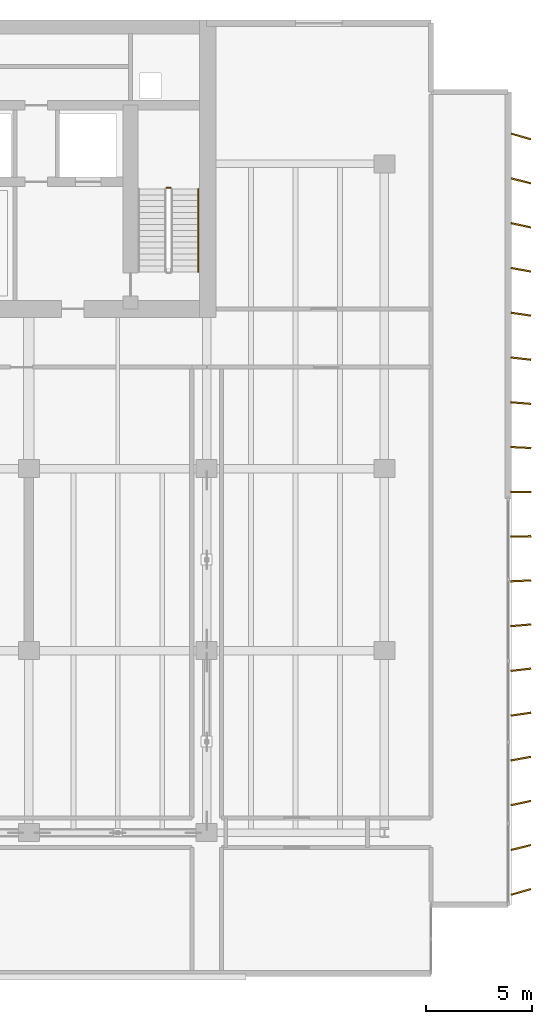
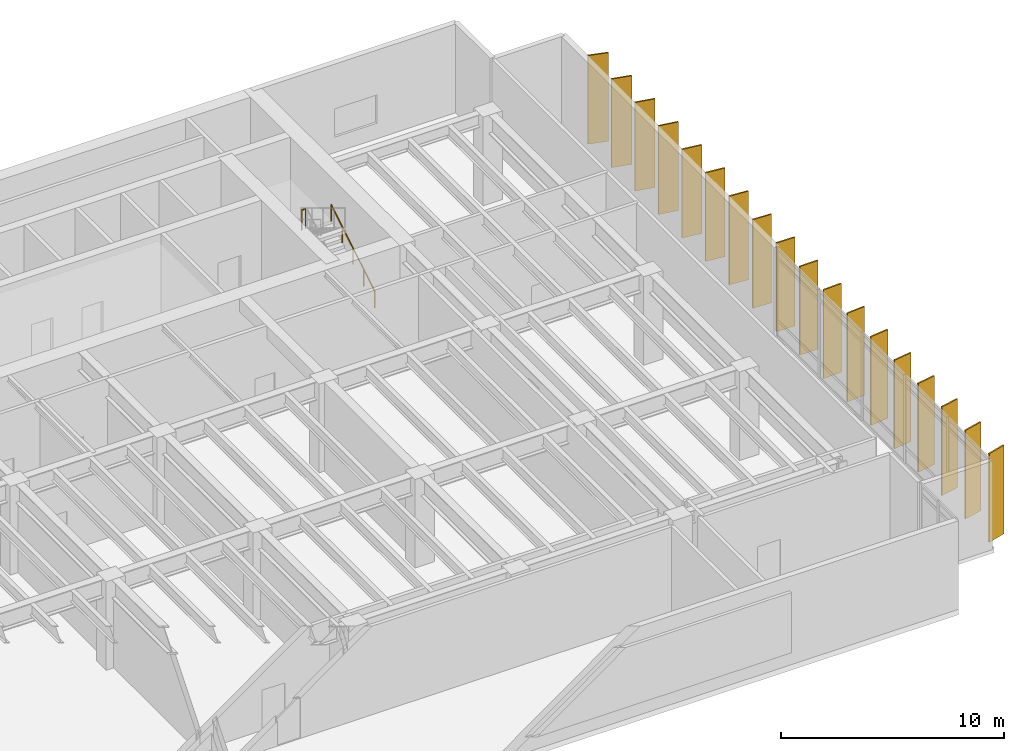
# One storey, part 18 of 18: 18 shading devices, 2 railings.
"""IFC4 building model written with IfcOpenShell, lengths in metres."""

from ifc_helpers import new_model, si_unit, direction, frame, origin, origin_2d, place, context, subcontext, project, spatial, rectangle, circle, extrude, material, material_profile, profile_set, type_object, element, save


model = new_model("IFC4")

# Units and contexts
model_context = context("Model", 3, precision=1e-05, world=origin(), true_north=direction((0.0, 1.0)))
body_context = subcontext(model_context, "Body", "Model", "MODEL_VIEW")
ifc_project = project(units=[si_unit("LENGTHUNIT", "METRE"), si_unit("AREAUNIT", "SQUARE_METRE"), si_unit("VOLUMEUNIT", "CUBIC_METRE"), si_unit("PLANEANGLEUNIT", "RADIAN"), si_unit("MASSUNIT", "GRAM", prefix="KILO")], contexts=[model_context])

# Site, building, storey
site_placement = place(None, origin())
site = spatial("IfcSite", under=ifc_project, at=site_placement, CompositionType="ELEMENT")
building_placement = place(site_placement, origin())
building = spatial("IfcBuilding", under=site, at=building_placement, Name="Caelmar Bay Residences", CompositionType="ELEMENT")
storey_placement = place(building_placement, frame((0.0, 0.0, 152.10009765625)))
storey = spatial("IfcBuildingStorey", under=building, at=storey_placement, Name="L42", CompositionType="ELEMENT", Elevation=152.10009765625)

# Railings
ifc_material_1 = material(Name="Painted galvanized steel stair guard 1100 mm", Category="steel")
railing_type_1 = type_object("IfcRailingType", Name="RL-GRD-1100", PredefinedType="GUARDRAIL", material=ifc_material_1)
railing_1_placement = place(storey_placement, frame((57.800048828125, 42.669921875, 2.5498046875)))
element("IfcRailing", 1, at=railing_1_placement, inside=storey, type_object=railing_type_1, Name="L42 ST2 stair guard 2", PredefinedType="GUARDRAIL", context=body_context, shape_type="SweptSolid", body=[
    extrude(circle(Radius=0.02392578125, at=origin_2d()), frame((0.0, 0.0, 1.076171875), z_axis=(-1.0, 0.0, 0.0), x_axis=(0.0, -1.0, 0.0)), (0.0, 0.0, 1.0), 0.199951171875),
    extrude(circle(Radius=0.02099609375, at=origin_2d()), origin(), (0.0, 0.0, 1.0), 1.052001953125),
    extrude(circle(Radius=0.02099609375, at=origin_2d()), frame((-0.199951171875, 0.0, 0.0)), (0.0, 0.0, 1.0), 1.052001953125),
])
ifc_material_2 = material(Name="Brushed bronze stainless-steel tubular handrail 900 mm", Category="steel")
railing_type_2 = type_object("IfcRailingType", Name="RL-HND-900", PredefinedType="HANDRAIL", material=ifc_material_2)
railing_2_placement = place(storey_placement, frame((59.10009765625, 38.699951171875, 0.169921875)))
element("IfcRailing", 2, at=railing_2_placement, inside=storey, type_object=railing_type_2, Name="L42 ST2 stair handrail 1", PredefinedType="HANDRAIL", context=body_context, shape_type="SweptSolid", body=[
    extrude(circle(Radius=0.02392578125, at=origin_2d()), frame((0.0, 0.0, 0.8759765625), z_axis=(0.0, 0.854808600491, 0.518943403973), x_axis=(-1.0, 0.0, 0.0)), (0.0, 0.0, 1.0), 4.5859375),
    extrude(circle(Radius=0.02099609375, at=origin_2d()), origin(), (0.0, 0.0, 1.0), 0.851806640625),
    extrude(circle(Radius=0.02099609375, at=origin_2d()), frame((0.0, 0.97998046875, 0.594970703125)), (0.0, 0.0, 1.0), 0.851806640625),
    extrude(circle(Radius=0.02099609375, at=origin_2d()), frame((0.0, 1.9599609375, 1.18994140625)), (0.0, 0.0, 1.0), 0.851806640625),
    extrude(circle(Radius=0.02099609375, at=origin_2d()), frame((0.0, 2.940185546875, 1.784912109375)), (0.0, 0.0, 1.0), 0.851806640625),
    extrude(circle(Radius=0.02099609375, at=origin_2d()), frame((0.0, 3.920166015625, 2.3798828125)), (0.0, 0.0, 1.0), 0.851806640625),
])

# Shading devices
ifc_material_3 = material(Name="Anodised architectural bronze aluminium 6063-T6", Category="aluminium")
ifc_material_profile = material_profile(ifc_material_3, rectangle(XDim=0.074951171875, YDim=0.949951171875, at=origin_2d()), Name="BRONZE-FIN-75X950")
ifc_profile_set = profile_set([ifc_material_profile], Name="Anodised architectural bronze aluminium 6063-T6")
shading_device_type = type_object("IfcShadingDeviceType", Name="SHD-FIN-950", PredefinedType="USERDEFINED", material=ifc_profile_set)
for number, where, z_axis, x_axis, name in (
    (3, (74.35009765625, 9.39990234375, 0.0), (0.0, 0.0, 1.0), (-0.275637355817, 0.961261695938, 0.0), "L42 East Bronze Solar Fin 1"),
    (4, (74.35009765625, 11.5, 0.0), (0.0, 0.0, 1.0), (-0.243953546137, 0.969786918517, 0.0), "L42 East Bronze Solar Fin 2"),
    (5, (74.35009765625, 13.60009765625, 0.0), (0.0, 0.0, 1.0), (-0.212007109922, 0.977268123568, 0.0), "L42 East Bronze Solar Fin 3"),
    (6, (74.35009765625, 15.699951171875, 0.0), (0.0, 0.0, 1.0), (-0.179660748593, 0.98372862895, 0.0), "L42 East Bronze Solar Fin 4"),
    (7, (74.35009765625, 17.800048828125, 0.0), (0.0, 0.0, 1.0), (-0.147291543397, 0.989093120613, 0.0), "L42 East Bronze Solar Fin 5"),
    (8, (74.35009765625, 19.89990234375, 0.0), (0.0, 0.0, 1.0), (-0.114763772489, 0.993392810787, 0.0), "L42 East Bronze Solar Fin 6"),
    (9, (74.35009765625, 22.0, 0.0), (0.0, 0.0, 1.0), (-0.08211245342, 0.996623070671, 0.0), "L42 East Bronze Solar Fin 7"),
    (10, (74.35009765625, 24.10009765625, 0.0), (0.0, 0.0, 1.0), (-0.049198415926, 0.998789024705, 0.0), "L42 East Bronze Solar Fin 8"),
    (11, (74.35009765625, 26.199951171875, 0.0), (0.0, 0.0, 1.0), (-0.016405359001, 0.999865423043, 0.0), "L42 East Bronze Solar Fin 9"),
    (12, (74.35009765625, 28.300048828125, 0.0), (0.0, 0.0, 1.0), (0.016405359001, 0.999865423043, 0.0), "L42 East Bronze Solar Fin 10"),
    (13, (74.35009765625, 30.39990234375, 0.0), (0.0, 0.0, 1.0), (0.049198415926, 0.998789024705, 0.0), "L42 East Bronze Solar Fin 11"),
    (14, (74.35009765625, 32.5, 0.0), (0.0, 0.0, 1.0), (0.08211245342, 0.996623070671, 0.0), "L42 East Bronze Solar Fin 12"),
    (15, (74.35009765625, 34.60009765625, 0.0), (0.0, 0.0, 1.0), (0.114763772489, 0.993392810787, 0.0), "L42 East Bronze Solar Fin 13"),
    (16, (74.35009765625, 36.699951171875, 0.0), (0.0, 0.0, 1.0), (0.147291543397, 0.989093120613, 0.0), "L42 East Bronze Solar Fin 14"),
    (17, (74.35009765625, 38.800048828125, 0.0), (0.0, 0.0, 1.0), (0.179660748593, 0.98372862895, 0.0), "L42 East Bronze Solar Fin 15"),
    (18, (74.35009765625, 40.89990234375, 0.0), (0.0, 0.0, 1.0), (0.212007109922, 0.977268123568, 0.0), "L42 East Bronze Solar Fin 16"),
    (19, (74.35009765625, 43.0, 0.0), (0.0, 0.0, 1.0), (0.243953546137, 0.969786918517, 0.0), "L42 East Bronze Solar Fin 17"),
    (20, (74.35009765625, 45.10009765625, 0.0), (0.0, 0.0, 1.0), (0.275637355817, 0.961261695938, 0.0), "L42 East Bronze Solar Fin 18"),
):
    element("IfcShadingDevice", number, at=place(storey_placement, frame(where, z_axis=z_axis, x_axis=x_axis)), inside=storey, type_object=shading_device_type, Name=name, ObjectType="FIN", PredefinedType="USERDEFINED", context=body_context, shape_type="SweptSolid", body=[
        extrude(rectangle(XDim=0.074951171875, YDim=0.949951171875, at=origin_2d()), origin(), (0.0, 0.0, 1.0), 4.849853515625),
    ])

save(model, "model.ifc")
